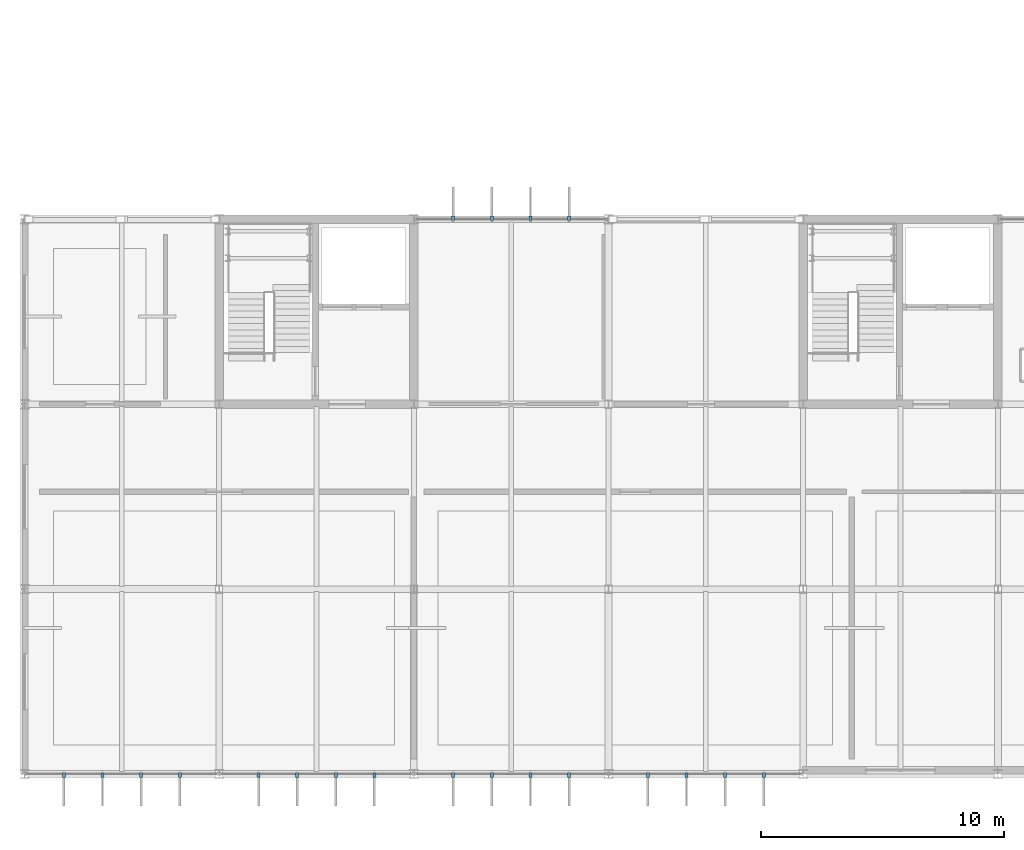
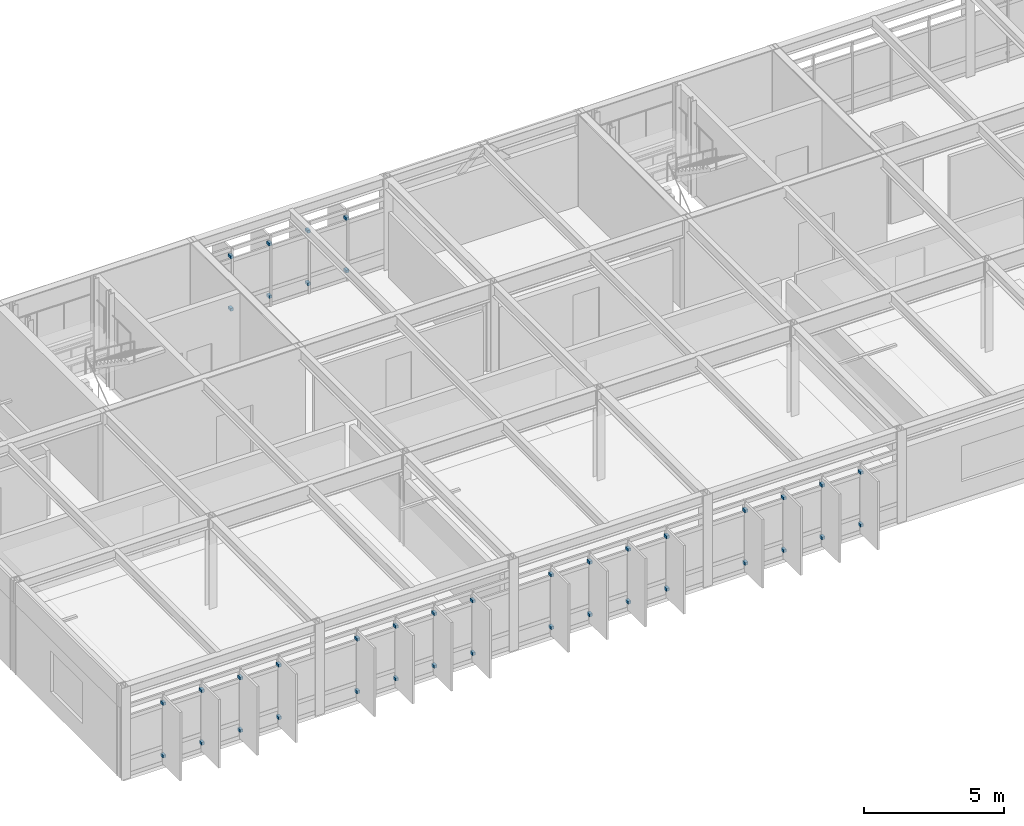
# One storey, part 28 of 33: 40 discrete accessories.
"""IFC4 building model written with IfcOpenShell, lengths in metres."""

from ifc_helpers import new_model, si_unit, direction, frame, origin, origin_2d, place, context, subcontext, project, spatial, rectangle, extrude, material, layer, layer_set, type_object, element, save


model = new_model("IFC4")

# Units and contexts
model_context = context("Model", 3, precision=1e-05, world=origin(), true_north=direction((0.0, 1.0)))
body_context = subcontext(model_context, "Body", "Model", "MODEL_VIEW")
ifc_project = project(units=[si_unit("LENGTHUNIT", "METRE"), si_unit("AREAUNIT", "SQUARE_METRE"), si_unit("VOLUMEUNIT", "CUBIC_METRE"), si_unit("PLANEANGLEUNIT", "RADIAN"), si_unit("MASSUNIT", "GRAM", prefix="KILO")], contexts=[model_context])

# Site, building, storey
site_placement = place(None, origin())
site = spatial("IfcSite", under=ifc_project, at=site_placement, CompositionType="ELEMENT")
building_placement = place(site_placement, origin())
building = spatial("IfcBuilding", under=site, at=building_placement, Name="Zulena Civic Courthouse", CompositionType="ELEMENT")
storey_placement = place(building_placement, frame((0.0, 0.0, 33.60009765625)))
storey = spatial("IfcBuildingStorey", under=building, at=storey_placement, Name="L07", CompositionType="ELEMENT", Elevation=33.60009765625)

# Discrete accessories
ifc_material = material(Name="Gold anodised architectural aluminium AA6063-T6", Category="aluminium")
ifc_layer = layer(ifc_material, 0.1201171875)
ifc_layer_set = layer_set([ifc_layer], Name="Gold anodised architectural aluminium AA6063-T6")
discrete_accessory_type = type_object("IfcDiscreteAccessoryType", Name="FinOutriggerBracket", PredefinedType="BRACKET", material=ifc_layer_set)
for number, where, z_axis, x_axis, name in (
    (1, (29.617919921875, 22.844970703125, 0.33984375), (0.0, 0.0, 1.0), (0.0, 1.0, 0.0), "brk:V2:L07:1:2:1:34.00"),
    (2, (29.617919921875, 22.844970703125, 2.6298828125), (0.0, 0.0, 1.0), (0.0, 1.0, 0.0), "brk:V2:L07:1:2:1:36.29"),
    (3, (31.2060546875, 22.844970703125, 0.33984375), (0.0, 0.0, 1.0), (0.0, 1.0, 0.0), "brk:V2:L07:1:2:2:34.00"),
    (4, (31.2060546875, 22.844970703125, 2.6298828125), (0.0, 0.0, 1.0), (0.0, 1.0, 0.0), "brk:V2:L07:1:2:2:36.29"),
    (5, (32.7939453125, 22.844970703125, 0.33984375), (0.0, 0.0, 1.0), (0.0, 1.0, 0.0), "brk:V2:L07:1:2:3:34.00"),
    (6, (32.7939453125, 22.844970703125, 2.6298828125), (0.0, 0.0, 1.0), (0.0, 1.0, 0.0), "brk:V2:L07:1:2:3:36.29"),
    (7, (34.382080078125, 22.844970703125, 0.33984375), (0.0, 0.0, 1.0), (0.0, 1.0, 0.0), "brk:V2:L07:1:2:4:34.00"),
    (8, (34.382080078125, 22.844970703125, 2.6298828125), (0.0, 0.0, 1.0), (0.0, 1.0, 0.0), "brk:V2:L07:1:2:4:36.29"),
    (9, (42.382080078125, -0.044921875, 0.33984375), (0.0, 0.0, 1.0), (0.0, -1.0, 0.0), "brk:V2:L07:3:3:1:34.00"),
    (10, (42.382080078125, -0.044921875, 2.6298828125), (0.0, 0.0, 1.0), (0.0, -1.0, 0.0), "brk:V2:L07:3:3:1:36.29"),
    (11, (40.7939453125, -0.044921875, 0.33984375), (0.0, 0.0, 1.0), (0.0, -1.0, 0.0), "brk:V2:L07:3:3:2:34.00"),
    (12, (40.7939453125, -0.044921875, 2.6298828125), (0.0, 0.0, 1.0), (0.0, -1.0, 0.0), "brk:V2:L07:3:3:2:36.29"),
    (13, (39.2060546875, -0.044921875, 0.33984375), (0.0, 0.0, 1.0), (0.0, -1.0, 0.0), "brk:V2:L07:3:3:3:34.00"),
    (14, (39.2060546875, -0.044921875, 2.6298828125), (0.0, 0.0, 1.0), (0.0, -1.0, 0.0), "brk:V2:L07:3:3:3:36.29"),
    (15, (37.617919921875, -0.044921875, 0.33984375), (0.0, 0.0, 1.0), (0.0, -1.0, 0.0), "brk:V2:L07:3:3:4:34.00"),
    (16, (37.617919921875, -0.044921875, 2.6298828125), (0.0, 0.0, 1.0), (0.0, -1.0, 0.0), "brk:V2:L07:3:3:4:36.29"),
    (17, (34.382080078125, -0.044921875, 0.33984375), (0.0, 0.0, 1.0), (0.0, -1.0, 0.0), "brk:V2:L07:3:4:1:34.00"),
    (18, (34.382080078125, -0.044921875, 2.6298828125), (0.0, 0.0, 1.0), (0.0, -1.0, 0.0), "brk:V2:L07:3:4:1:36.29"),
    (19, (32.7939453125, -0.044921875, 0.33984375), (0.0, 0.0, 1.0), (0.0, -1.0, 0.0), "brk:V2:L07:3:4:2:34.00"),
    (20, (32.7939453125, -0.044921875, 2.6298828125), (0.0, 0.0, 1.0), (0.0, -1.0, 0.0), "brk:V2:L07:3:4:2:36.29"),
    (21, (31.2060546875, -0.044921875, 0.33984375), (0.0, 0.0, 1.0), (0.0, -1.0, 0.0), "brk:V2:L07:3:4:3:34.00"),
    (22, (31.2060546875, -0.044921875, 2.6298828125), (0.0, 0.0, 1.0), (0.0, -1.0, 0.0), "brk:V2:L07:3:4:3:36.29"),
    (23, (29.617919921875, -0.044921875, 0.33984375), (0.0, 0.0, 1.0), (0.0, -1.0, 0.0), "brk:V2:L07:3:4:4:34.00"),
    (24, (29.617919921875, -0.044921875, 2.6298828125), (0.0, 0.0, 1.0), (0.0, -1.0, 0.0), "brk:V2:L07:3:4:4:36.29"),
    (25, (26.382080078125, -0.044921875, 0.33984375), (0.0, 0.0, 1.0), (0.0, -1.0, 0.0), "brk:V2:L07:3:5:1:34.00"),
    (26, (26.382080078125, -0.044921875, 2.6298828125), (0.0, 0.0, 1.0), (0.0, -1.0, 0.0), "brk:V2:L07:3:5:1:36.29"),
    (27, (24.7939453125, -0.044921875, 0.33984375), (0.0, 0.0, 1.0), (0.0, -1.0, 0.0), "brk:V2:L07:3:5:2:34.00"),
    (28, (24.7939453125, -0.044921875, 2.6298828125), (0.0, 0.0, 1.0), (0.0, -1.0, 0.0), "brk:V2:L07:3:5:2:36.29"),
    (29, (23.2060546875, -0.044921875, 0.33984375), (0.0, 0.0, 1.0), (0.0, -1.0, 0.0), "brk:V2:L07:3:5:3:34.00"),
    (30, (23.2060546875, -0.044921875, 2.6298828125), (0.0, 0.0, 1.0), (0.0, -1.0, 0.0), "brk:V2:L07:3:5:3:36.29"),
    (31, (21.617919921875, -0.044921875, 0.33984375), (0.0, 0.0, 1.0), (0.0, -1.0, 0.0), "brk:V2:L07:3:5:4:34.00"),
    (32, (21.617919921875, -0.044921875, 2.6298828125), (0.0, 0.0, 1.0), (0.0, -1.0, 0.0), "brk:V2:L07:3:5:4:36.29"),
    (33, (18.382080078125, -0.044921875, 0.33984375), (0.0, 0.0, 1.0), (0.0, -1.0, 0.0), "brk:V2:L07:3:6:1:34.00"),
    (34, (18.382080078125, -0.044921875, 2.6298828125), (0.0, 0.0, 1.0), (0.0, -1.0, 0.0), "brk:V2:L07:3:6:1:36.29"),
    (35, (16.7939453125, -0.044921875, 0.33984375), (0.0, 0.0, 1.0), (0.0, -1.0, 0.0), "brk:V2:L07:3:6:2:34.00"),
    (36, (16.7939453125, -0.044921875, 2.6298828125), (0.0, 0.0, 1.0), (0.0, -1.0, 0.0), "brk:V2:L07:3:6:2:36.29"),
    (37, (15.2060546875, -0.044921875, 0.33984375), (0.0, 0.0, 1.0), (0.0, -1.0, 0.0), "brk:V2:L07:3:6:3:34.00"),
    (38, (15.2060546875, -0.044921875, 2.6298828125), (0.0, 0.0, 1.0), (0.0, -1.0, 0.0), "brk:V2:L07:3:6:3:36.29"),
    (39, (13.617919921875, -0.044921875, 0.33984375), (0.0, 0.0, 1.0), (0.0, -1.0, 0.0), "brk:V2:L07:3:6:4:34.00"),
    (40, (13.617919921875, -0.044921875, 2.6298828125), (0.0, 0.0, 1.0), (0.0, -1.0, 0.0), "brk:V2:L07:3:6:4:36.29"),
):
    element("IfcDiscreteAccessory", number, at=place(storey_placement, frame(where, z_axis=z_axis, x_axis=x_axis)), inside=storey, type_object=discrete_accessory_type, Name=name, PredefinedType="BRACKET", context=body_context, shape_type="SweptSolid", body=[
        extrude(rectangle(XDim=0.179931640625, YDim=0.1201171875, at=origin_2d()), origin(), (0.0, 0.0, 1.0), 0.1201171875),
    ])

save(model, "model.ifc")
